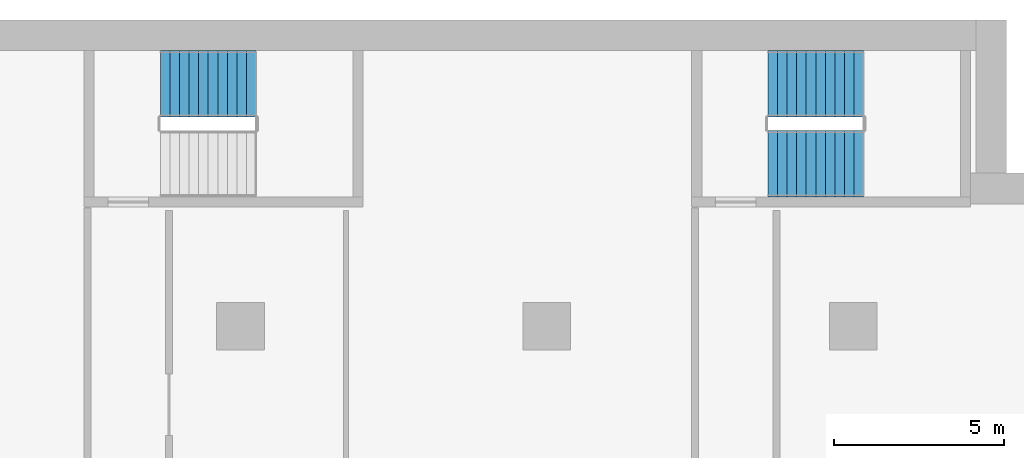
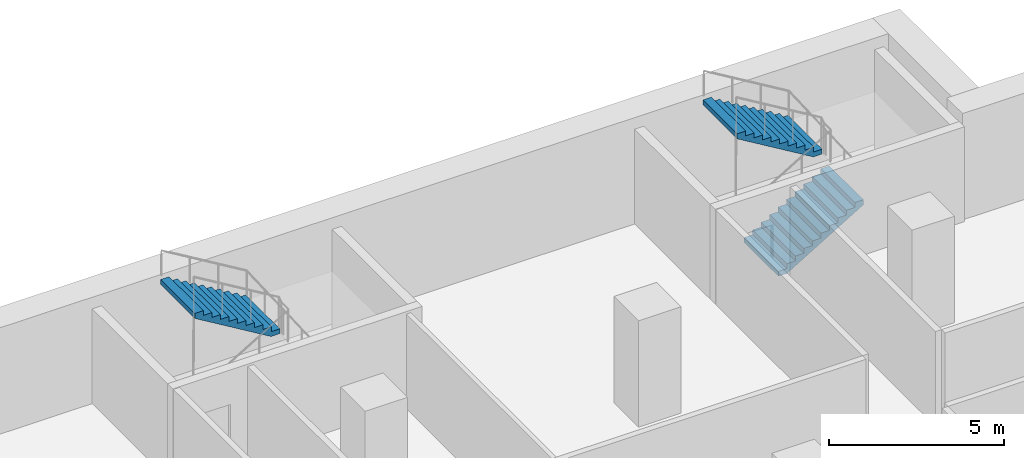
# One storey, part 22 of 28: 3 stair flights, 2 elements without a shape of their own.
"""IFC4 building model written with IfcOpenShell, lengths in metres."""

from ifc_helpers import new_model, si_unit, direction, frame, origin, place, context, subcontext, project, spatial, polyline, outline, extrude, material, type_object, element, aggregate, save


model = new_model("IFC4")

# Units and contexts
model_context = context("Model", 3, precision=1e-05, world=origin(), true_north=direction((0.0, 1.0)))
body_context = subcontext(model_context, "Body", "Model", "MODEL_VIEW")
ifc_project = project(units=[si_unit("LENGTHUNIT", "METRE"), si_unit("AREAUNIT", "SQUARE_METRE"), si_unit("VOLUMEUNIT", "CUBIC_METRE"), si_unit("PLANEANGLEUNIT", "RADIAN"), si_unit("MASSUNIT", "GRAM", prefix="KILO")], contexts=[model_context])

# Site, building, storey
site_placement = place(None, origin())
site = spatial("IfcSite", under=ifc_project, at=site_placement, CompositionType="ELEMENT")
building_placement = place(site_placement, origin())
building = spatial("IfcBuilding", under=site, at=building_placement, Name="Hunhe Ridgeline Campus", CompositionType="ELEMENT")
storey_placement = place(building_placement, frame((0.0, 0.0, 39.5)))
storey = spatial("IfcBuildingStorey", under=building, at=storey_placement, Name="L08", CompositionType="ELEMENT", Elevation=39.5)

# Stair, stair flight
ifc_material = material(Name="Concrete C40", Category="concrete")
stair_type = type_object("IfcStairType", Name="Reinforced concrete dog-leg stair 1950 Concrete C40", PredefinedType="HALF_TURN_STAIR", material=ifc_material)
stair_1_placement = place(storey_placement, origin())
stair_1 = element("IfcStair", 1, at=stair_1_placement, inside=storey, type_object=stair_type, Name="L08 E3", PredefinedType="HALF_TURN_STAIR")
stair_flight_type = type_object("IfcStairFlightType", Name="Reinforced concrete stair flight 1950 Concrete C40", PredefinedType="STRAIGHT", material=ifc_material)
stair_flight_1_placement = place(storey_placement, frame((72.449951171875, 97.125, 1.85009765625), z_axis=(0.0, 0.0, 1.0), x_axis=(-1.0, 0.0, 0.0)))
stair_flight_1 = element("IfcStairFlight", 2, at=stair_flight_1_placement, type_object=stair_flight_type, Name="ST7 flight 2", NumberOfRisers=11, NumberOfTreads=10, PredefinedType="STRAIGHT", RiserHeight=0.168181818, TreadLength=0.28, context=body_context, shape_type="SweptSolid", body=[
    extrude(outline(polyline([(0.0, 0.0), (0.0, 0.168212890625), (0.280029296875, 0.168212890625), (0.280029296875, 0.33642578125), (0.56005859375, 0.33642578125), (0.56005859375, 0.504638671875), (0.840087890625, 0.504638671875), (0.840087890625, 0.672607421875), (1.1201171875, 0.672607421875), (1.1201171875, 0.8408203125), (1.39990234375, 0.8408203125), (1.39990234375, 1.009033203125), (1.679931640625, 1.009033203125), (1.679931640625, 1.17724609375), (1.9599609375, 1.17724609375), (1.9599609375, 1.345458984375), (2.239990234375, 1.345458984375), (2.239990234375, 1.513671875), (2.52001953125, 1.513671875), (2.52001953125, 1.681884765625), (2.800048828125, 1.681884765625), (2.800048828125, 1.85009765625), (2.800048828125, 1.5068359375), (0.291015625, 0.0), (0.0, 0.0)])), frame((0.0, 0.97509765625, 0.0), z_axis=(0.0, -1.0, 0.0), x_axis=(1.0, 0.0, 0.0)), (0.0, 0.0, 1.0), 1.949951171875),
    extrude(outline(polyline([(0.030029296875, 0.030029296875), (0.030029296875, 0.13818359375), (0.31005859375, 0.13818359375), (0.31005859375, 0.306396484375), (0.590087890625, 0.306396484375), (0.590087890625, 0.474609375), (0.8701171875, 0.474609375), (0.8701171875, 0.642578125), (1.14990234375, 0.642578125), (1.14990234375, 0.810791015625), (1.429931640625, 0.810791015625), (1.429931640625, 0.97900390625), (1.7099609375, 0.97900390625), (1.7099609375, 1.147216796875), (1.989990234375, 1.147216796875), (1.989990234375, 1.3154296875), (2.27001953125, 1.3154296875), (2.27001953125, 1.483642578125), (2.550048828125, 1.483642578125), (2.550048828125, 1.65185546875), (2.77001953125, 1.65185546875), (2.77001953125, 1.52392578125), (0.28271484375, 0.030029296875), (0.030029296875, 0.030029296875)])), frame((0.0, -0.070068359375, 0.0), z_axis=(0.0, -1.0, 0.0), x_axis=(1.0, 0.0, 0.0)), (0.0, 0.0, 1.0), 0.019775390625),
    extrude(outline(polyline([(0.030029296875, 0.030029296875), (0.030029296875, 0.13818359375), (0.31005859375, 0.13818359375), (0.31005859375, 0.306396484375), (0.590087890625, 0.306396484375), (0.590087890625, 0.474609375), (0.8701171875, 0.474609375), (0.8701171875, 0.642578125), (1.14990234375, 0.642578125), (1.14990234375, 0.810791015625), (1.429931640625, 0.810791015625), (1.429931640625, 0.97900390625), (1.7099609375, 0.97900390625), (1.7099609375, 1.147216796875), (1.989990234375, 1.147216796875), (1.989990234375, 1.3154296875), (2.27001953125, 1.3154296875), (2.27001953125, 1.483642578125), (2.550048828125, 1.483642578125), (2.550048828125, 1.65185546875), (2.77001953125, 1.65185546875), (2.77001953125, 1.52392578125), (0.28271484375, 0.030029296875), (0.030029296875, 0.030029296875)])), frame((0.0, 0.010009765625, 0.0), z_axis=(0.0, -1.0, 0.0), x_axis=(1.0, 0.0, 0.0)), (0.0, 0.0, 1.0), 0.019775390625),
    extrude(outline(polyline([(0.030029296875, 0.030029296875), (0.030029296875, 0.13818359375), (0.31005859375, 0.13818359375), (0.31005859375, 0.306396484375), (0.590087890625, 0.306396484375), (0.590087890625, 0.474609375), (0.8701171875, 0.474609375), (0.8701171875, 0.642578125), (1.14990234375, 0.642578125), (1.14990234375, 0.810791015625), (1.429931640625, 0.810791015625), (1.429931640625, 0.97900390625), (1.7099609375, 0.97900390625), (1.7099609375, 1.147216796875), (1.989990234375, 1.147216796875), (1.989990234375, 1.3154296875), (2.27001953125, 1.3154296875), (2.27001953125, 1.483642578125), (2.550048828125, 1.483642578125), (2.550048828125, 1.65185546875), (2.77001953125, 1.65185546875), (2.77001953125, 1.52392578125), (0.28271484375, 0.030029296875), (0.030029296875, 0.030029296875)])), frame((0.0, 0.090087890625, 0.0), z_axis=(0.0, -1.0, 0.0), x_axis=(1.0, 0.0, 0.0)), (0.0, 0.0, 1.0), 0.019775390625),
])
aggregate(stair_1, [stair_flight_1])

# Stair, stair flights
stair_2_placement = place(storey_placement, origin())
stair_2 = element("IfcStair", 3, at=stair_2_placement, inside=storey, type_object=stair_type, Name="L08 E4", PredefinedType="HALF_TURN_STAIR")
stair_flight_2_placement = place(storey_placement, frame((87.5, 94.77490234375, 0.0), z_axis=(0.0, 0.0, 1.0), x_axis=(1.0, 0.0, 0.0)))
stair_flight_2 = element("IfcStairFlight", 4, at=stair_flight_2_placement, type_object=stair_flight_type, Name="ST8 flight 1", NumberOfRisers=11, NumberOfTreads=10, PredefinedType="STRAIGHT", RiserHeight=0.168181818, TreadLength=0.28, context=body_context, shape_type="SweptSolid", body=[
    extrude(outline(polyline([(0.0, 0.0), (0.0, 0.168212890625), (0.280029296875, 0.168212890625), (0.280029296875, 0.33642578125), (0.56005859375, 0.33642578125), (0.56005859375, 0.504638671875), (0.840087890625, 0.504638671875), (0.840087890625, 0.672607421875), (1.1201171875, 0.672607421875), (1.1201171875, 0.8408203125), (1.39990234375, 0.8408203125), (1.39990234375, 1.009033203125), (1.679931640625, 1.009033203125), (1.679931640625, 1.17724609375), (1.9599609375, 1.17724609375), (1.9599609375, 1.345458984375), (2.239990234375, 1.345458984375), (2.239990234375, 1.513671875), (2.52001953125, 1.513671875), (2.52001953125, 1.681884765625), (2.800048828125, 1.681884765625), (2.800048828125, 1.85009765625), (2.800048828125, 1.5068359375), (0.291015625, 0.0), (0.0, 0.0)])), frame((0.0, 0.97509765625, 0.0), z_axis=(0.0, -1.0, 0.0), x_axis=(1.0, 0.0, 0.0)), (0.0, 0.0, 1.0), 1.949951171875),
    extrude(outline(polyline([(0.030029296875, 0.030029296875), (0.030029296875, 0.13818359375), (0.31005859375, 0.13818359375), (0.31005859375, 0.306396484375), (0.590087890625, 0.306396484375), (0.590087890625, 0.474609375), (0.8701171875, 0.474609375), (0.8701171875, 0.642578125), (1.14990234375, 0.642578125), (1.14990234375, 0.810791015625), (1.429931640625, 0.810791015625), (1.429931640625, 0.97900390625), (1.7099609375, 0.97900390625), (1.7099609375, 1.147216796875), (1.989990234375, 1.147216796875), (1.989990234375, 1.3154296875), (2.27001953125, 1.3154296875), (2.27001953125, 1.483642578125), (2.550048828125, 1.483642578125), (2.550048828125, 1.65185546875), (2.77001953125, 1.65185546875), (2.77001953125, 1.52392578125), (0.28271484375, 0.030029296875), (0.030029296875, 0.030029296875)])), frame((0.0, -0.070068359375, 0.0), z_axis=(0.0, -1.0, 0.0), x_axis=(1.0, 0.0, 0.0)), (0.0, 0.0, 1.0), 0.019775390625),
    extrude(outline(polyline([(0.030029296875, 0.030029296875), (0.030029296875, 0.13818359375), (0.31005859375, 0.13818359375), (0.31005859375, 0.306396484375), (0.590087890625, 0.306396484375), (0.590087890625, 0.474609375), (0.8701171875, 0.474609375), (0.8701171875, 0.642578125), (1.14990234375, 0.642578125), (1.14990234375, 0.810791015625), (1.429931640625, 0.810791015625), (1.429931640625, 0.97900390625), (1.7099609375, 0.97900390625), (1.7099609375, 1.147216796875), (1.989990234375, 1.147216796875), (1.989990234375, 1.3154296875), (2.27001953125, 1.3154296875), (2.27001953125, 1.483642578125), (2.550048828125, 1.483642578125), (2.550048828125, 1.65185546875), (2.77001953125, 1.65185546875), (2.77001953125, 1.52392578125), (0.28271484375, 0.030029296875), (0.030029296875, 0.030029296875)])), frame((0.0, 0.010009765625, 0.0), z_axis=(0.0, -1.0, 0.0), x_axis=(1.0, 0.0, 0.0)), (0.0, 0.0, 1.0), 0.019775390625),
    extrude(outline(polyline([(0.030029296875, 0.030029296875), (0.030029296875, 0.13818359375), (0.31005859375, 0.13818359375), (0.31005859375, 0.306396484375), (0.590087890625, 0.306396484375), (0.590087890625, 0.474609375), (0.8701171875, 0.474609375), (0.8701171875, 0.642578125), (1.14990234375, 0.642578125), (1.14990234375, 0.810791015625), (1.429931640625, 0.810791015625), (1.429931640625, 0.97900390625), (1.7099609375, 0.97900390625), (1.7099609375, 1.147216796875), (1.989990234375, 1.147216796875), (1.989990234375, 1.3154296875), (2.27001953125, 1.3154296875), (2.27001953125, 1.483642578125), (2.550048828125, 1.483642578125), (2.550048828125, 1.65185546875), (2.77001953125, 1.65185546875), (2.77001953125, 1.52392578125), (0.28271484375, 0.030029296875), (0.030029296875, 0.030029296875)])), frame((0.0, 0.090087890625, 0.0), z_axis=(0.0, -1.0, 0.0), x_axis=(1.0, 0.0, 0.0)), (0.0, 0.0, 1.0), 0.019775390625),
])
stair_flight_3_placement = place(storey_placement, frame((90.300048828125, 97.125, 1.85009765625), z_axis=(0.0, 0.0, 1.0), x_axis=(-1.0, 0.0, 0.0)))
stair_flight_3 = element("IfcStairFlight", 5, at=stair_flight_3_placement, type_object=stair_flight_type, Name="ST8 flight 2", NumberOfRisers=11, NumberOfTreads=10, PredefinedType="STRAIGHT", RiserHeight=0.168181818, TreadLength=0.28, context=body_context, shape_type="SweptSolid", body=[
    extrude(outline(polyline([(0.0, 0.0), (0.0, 0.168212890625), (0.280029296875, 0.168212890625), (0.280029296875, 0.33642578125), (0.56005859375, 0.33642578125), (0.56005859375, 0.504638671875), (0.840087890625, 0.504638671875), (0.840087890625, 0.672607421875), (1.1201171875, 0.672607421875), (1.1201171875, 0.8408203125), (1.39990234375, 0.8408203125), (1.39990234375, 1.009033203125), (1.679931640625, 1.009033203125), (1.679931640625, 1.17724609375), (1.9599609375, 1.17724609375), (1.9599609375, 1.345458984375), (2.239990234375, 1.345458984375), (2.239990234375, 1.513671875), (2.52001953125, 1.513671875), (2.52001953125, 1.681884765625), (2.800048828125, 1.681884765625), (2.800048828125, 1.85009765625), (2.800048828125, 1.5068359375), (0.291015625, 0.0), (0.0, 0.0)])), frame((0.0, 0.97509765625, 0.0), z_axis=(0.0, -1.0, 0.0), x_axis=(1.0, 0.0, 0.0)), (0.0, 0.0, 1.0), 1.949951171875),
    extrude(outline(polyline([(0.030029296875, 0.030029296875), (0.030029296875, 0.13818359375), (0.31005859375, 0.13818359375), (0.31005859375, 0.306396484375), (0.590087890625, 0.306396484375), (0.590087890625, 0.474609375), (0.8701171875, 0.474609375), (0.8701171875, 0.642578125), (1.14990234375, 0.642578125), (1.14990234375, 0.810791015625), (1.429931640625, 0.810791015625), (1.429931640625, 0.97900390625), (1.7099609375, 0.97900390625), (1.7099609375, 1.147216796875), (1.989990234375, 1.147216796875), (1.989990234375, 1.3154296875), (2.27001953125, 1.3154296875), (2.27001953125, 1.483642578125), (2.550048828125, 1.483642578125), (2.550048828125, 1.65185546875), (2.77001953125, 1.65185546875), (2.77001953125, 1.52392578125), (0.28271484375, 0.030029296875), (0.030029296875, 0.030029296875)])), frame((0.0, -0.070068359375, 0.0), z_axis=(0.0, -1.0, 0.0), x_axis=(1.0, 0.0, 0.0)), (0.0, 0.0, 1.0), 0.019775390625),
    extrude(outline(polyline([(0.030029296875, 0.030029296875), (0.030029296875, 0.13818359375), (0.31005859375, 0.13818359375), (0.31005859375, 0.306396484375), (0.590087890625, 0.306396484375), (0.590087890625, 0.474609375), (0.8701171875, 0.474609375), (0.8701171875, 0.642578125), (1.14990234375, 0.642578125), (1.14990234375, 0.810791015625), (1.429931640625, 0.810791015625), (1.429931640625, 0.97900390625), (1.7099609375, 0.97900390625), (1.7099609375, 1.147216796875), (1.989990234375, 1.147216796875), (1.989990234375, 1.3154296875), (2.27001953125, 1.3154296875), (2.27001953125, 1.483642578125), (2.550048828125, 1.483642578125), (2.550048828125, 1.65185546875), (2.77001953125, 1.65185546875), (2.77001953125, 1.52392578125), (0.28271484375, 0.030029296875), (0.030029296875, 0.030029296875)])), frame((0.0, 0.010009765625, 0.0), z_axis=(0.0, -1.0, 0.0), x_axis=(1.0, 0.0, 0.0)), (0.0, 0.0, 1.0), 0.019775390625),
    extrude(outline(polyline([(0.030029296875, 0.030029296875), (0.030029296875, 0.13818359375), (0.31005859375, 0.13818359375), (0.31005859375, 0.306396484375), (0.590087890625, 0.306396484375), (0.590087890625, 0.474609375), (0.8701171875, 0.474609375), (0.8701171875, 0.642578125), (1.14990234375, 0.642578125), (1.14990234375, 0.810791015625), (1.429931640625, 0.810791015625), (1.429931640625, 0.97900390625), (1.7099609375, 0.97900390625), (1.7099609375, 1.147216796875), (1.989990234375, 1.147216796875), (1.989990234375, 1.3154296875), (2.27001953125, 1.3154296875), (2.27001953125, 1.483642578125), (2.550048828125, 1.483642578125), (2.550048828125, 1.65185546875), (2.77001953125, 1.65185546875), (2.77001953125, 1.52392578125), (0.28271484375, 0.030029296875), (0.030029296875, 0.030029296875)])), frame((0.0, 0.090087890625, 0.0), z_axis=(0.0, -1.0, 0.0), x_axis=(1.0, 0.0, 0.0)), (0.0, 0.0, 1.0), 0.019775390625),
])
aggregate(stair_2, [stair_flight_2, stair_flight_3])

save(model, "model.ifc")
